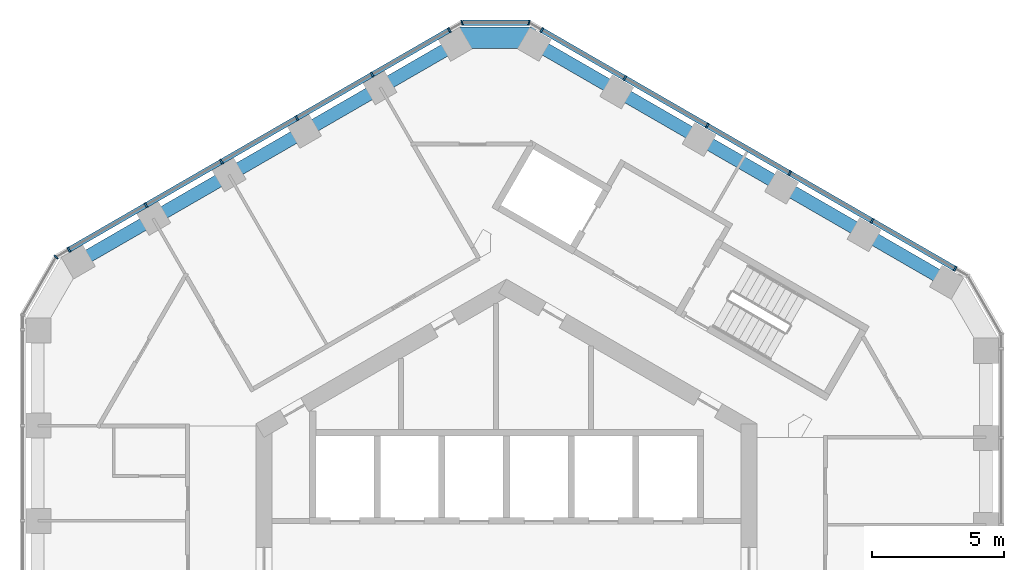
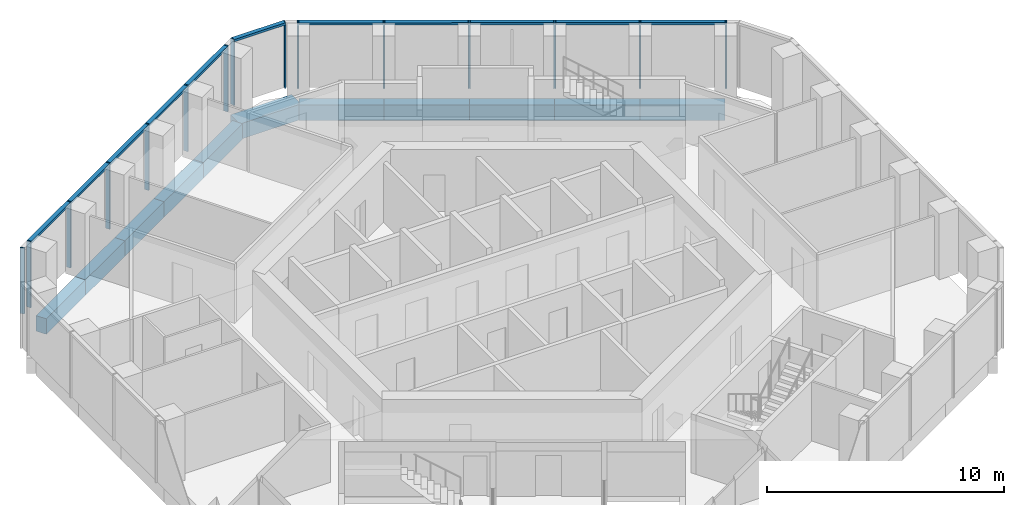
# One storey, part 6 of 18: 18 members, 11 beams, 4 elements without a shape of their own.
"""IFC4 building model written with IfcOpenShell, lengths in metres."""

from ifc_helpers import new_model, si_unit, direction, frame, origin, origin_2d, place, context, subcontext, project, spatial, rectangle, extrude, material, layer, layer_set, material_profile, profile_set, type_object, element, aggregate, save


model = new_model("IFC4")

# Units and contexts
model_context = context("Model", 3, precision=1e-05, world=origin(), true_north=direction((0.0, 1.0)))
body_context = subcontext(model_context, "Body", "Model", "MODEL_VIEW")
ifc_project = project(units=[si_unit("LENGTHUNIT", "METRE"), si_unit("AREAUNIT", "SQUARE_METRE"), si_unit("VOLUMEUNIT", "CUBIC_METRE"), si_unit("PLANEANGLEUNIT", "RADIAN"), si_unit("MASSUNIT", "GRAM", prefix="KILO")], contexts=[model_context])

# Site, building, storey
site_placement = place(None, origin())
site = spatial("IfcSite", under=ifc_project, at=site_placement, CompositionType="ELEMENT")
building_placement = place(site_placement, origin())
building = spatial("IfcBuilding", under=site, at=building_placement, Name="Ayvan Gate Tower", CompositionType="ELEMENT")
storey_placement = place(building_placement, frame((0.0, 0.0, 176.5)))
storey = spatial("IfcBuildingStorey", under=building, at=storey_placement, Name="L47", CompositionType="ELEMENT", Elevation=176.5)

# Beams
ifc_material_1 = material(Name="Concrete C40/50", Category="concrete")
ifc_material_profile_1 = material_profile(ifc_material_1, rectangle(XDim=0.800048828125, YDim=0.800048828125, at=origin_2d()), Name="RC 800x800")
ifc_profile_set_1 = profile_set([ifc_material_profile_1], Name="Concrete C40/50")
beam_type_1 = type_object("IfcBeamType", Name="Corner spandrel beam RC 800x800 C40/50", PredefinedType="BEAM", material=ifc_profile_set_1)
beam_1_placement = place(storey_placement, frame((1.09765625, 20.12158203125, -0.75), z_axis=(-1.0, 0.0, 0.0), x_axis=(0.0, -1.0, 0.0)))
element("IfcBeam", 1, at=beam_1_placement, inside=storey, type_object=beam_type_1, Name="SB-L47-12", PredefinedType="BEAM", context=body_context, shape_type="SweptSolid", body=[
    extrude(rectangle(XDim=0.800048828125, YDim=0.800048828125, at=origin_2d()), origin(), (0.0, 0.0, 1.0), 3.0),
])
ifc_material_profile_2 = material_profile(ifc_material_1, rectangle(XDim=0.5, YDim=0.800048828125, at=origin_2d()), Name="RC 500x800")
ifc_profile_set_2 = profile_set([ifc_material_profile_2], Name="Concrete C40/50")
beam_type_2 = type_object("IfcBeamType", Name="Spandrel beam RC 500x800 C40/50", PredefinedType="BEAM", material=ifc_profile_set_2)
beam_2_placement = place(storey_placement, frame((16.6865234375, 10.9013671875, -0.75), z_axis=(-0.866018442252, 0.500012057535, 0.0), x_axis=(-0.500012057535, -0.866018442252, 0.0)))
element("IfcBeam", 2, at=beam_2_placement, inside=storey, type_object=beam_type_2, Name="SB-L47-7", PredefinedType="BEAM", context=body_context, shape_type="SweptSolid", body=[
    extrude(rectangle(XDim=0.5, YDim=0.800048828125, at=origin_2d()), origin(), (0.0, 0.0, 1.0), 3.60009765625),
])
beam_3_placement = place(storey_placement, frame((13.56884765625, 12.701416015625, -0.75), z_axis=(-0.866035395735, 0.499982693035, 0.0), x_axis=(-0.499982693035, -0.866035395735, 0.0)))
element("IfcBeam", 3, at=beam_3_placement, inside=storey, type_object=beam_type_2, Name="SB-L47-8", PredefinedType="BEAM", context=body_context, shape_type="SweptSolid", body=[
    extrude(rectangle(XDim=0.5, YDim=0.800048828125, at=origin_2d()), origin(), (0.0, 0.0, 1.0), 3.600341796875),
])
beam_4_placement = place(storey_placement, frame((10.450927734375, 14.50146484375, -0.75), z_axis=(-0.866018442252, 0.500012057535, 0.0), x_axis=(-0.500012057535, -0.866018442252, 0.0)))
element("IfcBeam", 4, at=beam_4_placement, inside=storey, type_object=beam_type_2, Name="SB-L47-9", PredefinedType="BEAM", context=body_context, shape_type="SweptSolid", body=[
    extrude(rectangle(XDim=0.5, YDim=0.800048828125, at=origin_2d()), origin(), (0.0, 0.0, 1.0), 3.60009765625),
])
beam_5_placement = place(storey_placement, frame((7.333251953125, 16.301513671875, -0.75), z_axis=(-0.866035395735, 0.499982693035, 0.0), x_axis=(-0.499982693035, -0.866035395735, 0.0)))
element("IfcBeam", 5, at=beam_5_placement, inside=storey, type_object=beam_type_2, Name="SB-L47-10", PredefinedType="BEAM", context=body_context, shape_type="SweptSolid", body=[
    extrude(rectangle(XDim=0.5, YDim=0.800048828125, at=origin_2d()), origin(), (0.0, 0.0, 1.0), 3.600341796875),
])
beam_6_placement = place(storey_placement, frame((4.21533203125, 18.1015625, -0.75), z_axis=(-0.866018442252, 0.500012057535, 0.0), x_axis=(-0.500012057535, -0.866018442252, 0.0)))
element("IfcBeam", 6, at=beam_6_placement, inside=storey, type_object=beam_type_2, Name="SB-L47-11", PredefinedType="BEAM", context=body_context, shape_type="SweptSolid", body=[
    extrude(rectangle(XDim=0.5, YDim=0.800048828125, at=origin_2d()), origin(), (0.0, 0.0, 1.0), 3.60009765625),
])
beam_7_placement = place(storey_placement, frame((-1.90234375, 19.901611328125, -0.75), z_axis=(-0.86603625305, -0.49998120805, 0.0), x_axis=(0.49998120805, -0.86603625305, 0.0)))
element("IfcBeam", 7, at=beam_7_placement, inside=storey, type_object=beam_type_2, Name="SB-L47-13", PredefinedType="BEAM", context=body_context, shape_type="SweptSolid", body=[
    extrude(rectangle(XDim=0.5, YDim=0.800048828125, at=origin_2d()), origin(), (0.0, 0.0, 1.0), 3.321533203125),
])
beam_8_placement = place(storey_placement, frame((-4.77880859375, 18.240966796875, -0.75), z_axis=(-0.866017876419, -0.500013037552, 0.0), x_axis=(0.500013037552, -0.866017876419, 0.0)))
element("IfcBeam", 8, at=beam_8_placement, inside=storey, type_object=beam_type_2, Name="SB-L47-14", PredefinedType="BEAM", context=body_context, shape_type="SweptSolid", body=[
    extrude(rectangle(XDim=0.5, YDim=0.800048828125, at=origin_2d()), origin(), (0.0, 0.0, 1.0), 3.3212890625),
])
beam_9_placement = place(storey_placement, frame((-7.655029296875, 16.580322265625, -0.75), z_axis=(-0.86603625305, -0.49998120805, 0.0), x_axis=(0.49998120805, -0.86603625305, 0.0)))
element("IfcBeam", 9, at=beam_9_placement, inside=storey, type_object=beam_type_2, Name="SB-L47-15", PredefinedType="BEAM", context=body_context, shape_type="SweptSolid", body=[
    extrude(rectangle(XDim=0.5, YDim=0.800048828125, at=origin_2d()), origin(), (0.0, 0.0, 1.0), 3.321533203125),
])
beam_10_placement = place(storey_placement, frame((-10.531494140625, 14.919677734375, -0.75), z_axis=(-0.866017876419, -0.500013037552, 0.0), x_axis=(0.500013037552, -0.866017876419, 0.0)))
element("IfcBeam", 10, at=beam_10_placement, inside=storey, type_object=beam_type_2, Name="SB-L47-16", PredefinedType="BEAM", context=body_context, shape_type="SweptSolid", body=[
    extrude(rectangle(XDim=0.5, YDim=0.800048828125, at=origin_2d()), origin(), (0.0, 0.0, 1.0), 3.3212890625),
])
beam_11_placement = place(storey_placement, frame((-13.40771484375, 13.259033203125, -0.75), z_axis=(-0.86603625305, -0.49998120805, 0.0), x_axis=(0.49998120805, -0.86603625305, 0.0)))
element("IfcBeam", 11, at=beam_11_placement, inside=storey, type_object=beam_type_2, Name="SB-L47-17", PredefinedType="BEAM", context=body_context, shape_type="SweptSolid", body=[
    extrude(rectangle(XDim=0.5, YDim=0.800048828125, at=origin_2d()), origin(), (0.0, 0.0, 1.0), 3.321533203125),
])

# Curtain wall, members
ifc_material_2 = material(Name="Bronze anodised aluminium", Category="aluminium")
ifc_layer_1 = layer(ifc_material_2, 0.199951171875)
ifc_layer_set_1 = layer_set([ifc_layer_1], Name="Bronze anodised aluminium")
curtain_wall_type_1 = type_object("IfcCurtainWallType", Name="Stick curtain wall CW-2", PredefinedType="NOTDEFINED", material=ifc_layer_set_1)
curtain_wall_1_placement = place(storey_placement, origin())
curtain_wall_1 = element("IfcCurtainWall", 12, at=curtain_wall_1_placement, inside=storey, type_object=curtain_wall_type_1, Name="Stick curtain wall CW-2 L47", PredefinedType="NOTDEFINED")
ifc_material_profile_3 = material_profile(ifc_material_2, rectangle(XDim=0.199951171875, YDim=0.070068359375, at=origin_2d()), Name="Stick curtain wall CW-2 mullion 200 x 70")
ifc_profile_set_3 = profile_set([ifc_material_profile_3], Name="Bronze anodised aluminium")
member_type_1 = type_object("IfcMemberType", Name="Stick curtain wall CW-2 mullion 200 x 70", PredefinedType="MULLION", material=ifc_profile_set_3)
member_1_placement = place(storey_placement, frame((-2.167724609375, 20.412353515625, 0.0), z_axis=(0.0, 0.0, 1.0), x_axis=(-0.5, 0.866025403784, 0.0)))
member_1 = element("IfcMember", 13, at=member_1_placement, type_object=member_type_1, Name="CW-2 mullion 1", PredefinedType="MULLION", context=body_context, shape_type="SweptSolid", body=[
    extrude(rectangle(XDim=0.199951171875, YDim=0.070068359375, at=origin_2d()), origin(), (0.0, 0.0, 1.0), 3.39990234375),
])
member_2_placement = place(storey_placement, frame((-5.09228515625, 18.723876953125, 0.0), z_axis=(0.0, 0.0, 1.0), x_axis=(-0.5, 0.866025403784, 0.0)))
member_2 = element("IfcMember", 14, at=member_2_placement, type_object=member_type_1, Name="CW-2 mullion 2", PredefinedType="MULLION", context=body_context, shape_type="SweptSolid", body=[
    extrude(rectangle(XDim=0.199951171875, YDim=0.070068359375, at=origin_2d()), origin(), (0.0, 0.0, 1.0), 3.39990234375),
])
member_3_placement = place(storey_placement, frame((-7.950927734375, 17.073486328125, 0.0), z_axis=(0.0, 0.0, 1.0), x_axis=(-0.5, 0.866025403784, 0.0)))
member_3 = element("IfcMember", 15, at=member_3_placement, type_object=member_type_1, Name="CW-2 mullion 3", PredefinedType="MULLION", context=body_context, shape_type="SweptSolid", body=[
    extrude(rectangle(XDim=0.199951171875, YDim=0.070068359375, at=origin_2d()), origin(), (0.0, 0.0, 1.0), 3.39990234375),
])
member_4_placement = place(storey_placement, frame((-10.810546875, 15.42236328125, 0.0), z_axis=(0.0, 0.0, 1.0), x_axis=(-0.5, 0.866025403784, 0.0)))
member_4 = element("IfcMember", 16, at=member_4_placement, type_object=member_type_1, Name="CW-2 mullion 4", PredefinedType="MULLION", context=body_context, shape_type="SweptSolid", body=[
    extrude(rectangle(XDim=0.199951171875, YDim=0.070068359375, at=origin_2d()), origin(), (0.0, 0.0, 1.0), 3.39990234375),
])
member_5_placement = place(storey_placement, frame((-13.66943359375, 13.77197265625, 0.0), z_axis=(0.0, 0.0, 1.0), x_axis=(-0.5, 0.866025403784, 0.0)))
member_5 = element("IfcMember", 17, at=member_5_placement, type_object=member_type_1, Name="CW-2 mullion 5", PredefinedType="MULLION", context=body_context, shape_type="SweptSolid", body=[
    extrude(rectangle(XDim=0.199951171875, YDim=0.070068359375, at=origin_2d()), origin(), (0.0, 0.0, 1.0), 3.39990234375),
])
member_6_placement = place(storey_placement, frame((-16.59375, 12.08349609375, 0.0), z_axis=(0.0, 0.0, 1.0), x_axis=(-0.5, 0.866025403784, 0.0)))
member_6 = element("IfcMember", 18, at=member_6_placement, type_object=member_type_1, Name="CW-2 mullion 6", PredefinedType="MULLION", context=body_context, shape_type="SweptSolid", body=[
    extrude(rectangle(XDim=0.199951171875, YDim=0.070068359375, at=origin_2d()), origin(), (0.0, 0.0, 1.0), 3.39990234375),
])

curtain_wall_2_placement = place(storey_placement, origin())
curtain_wall_2 = element("IfcCurtainWall", 19, at=curtain_wall_2_placement, inside=storey, type_object=curtain_wall_type_1, Name="Stick curtain wall CW-2 L47", PredefinedType="NOTDEFINED")
member_7_placement = place(storey_placement, frame((17.00927734375, 11.364013671875, 0.0), z_axis=(0.0, 0.0, 1.0), x_axis=(0.5, 0.866025403784, 0.0)))
member_7 = element("IfcMember", 20, at=member_7_placement, type_object=member_type_1, Name="CW-2 mullion 1", PredefinedType="MULLION", context=body_context, shape_type="SweptSolid", body=[
    extrude(rectangle(XDim=0.199951171875, YDim=0.070068359375, at=origin_2d()), origin(), (0.0, 0.0, 1.0), 3.39990234375),
])
member_8_placement = place(storey_placement, frame((13.862060546875, 13.180908203125, 0.0), z_axis=(0.0, 0.0, 1.0), x_axis=(0.5, 0.866025403784, 0.0)))
member_8 = element("IfcMember", 21, at=member_8_placement, type_object=member_type_1, Name="CW-2 mullion 2", PredefinedType="MULLION", context=body_context, shape_type="SweptSolid", body=[
    extrude(rectangle(XDim=0.199951171875, YDim=0.070068359375, at=origin_2d()), origin(), (0.0, 0.0, 1.0), 3.39990234375),
])
member_9_placement = place(storey_placement, frame((10.73583984375, 14.98583984375, 0.0), z_axis=(0.0, 0.0, 1.0), x_axis=(0.5, 0.866025403784, 0.0)))
member_9 = element("IfcMember", 22, at=member_9_placement, type_object=member_type_1, Name="CW-2 mullion 3", PredefinedType="MULLION", context=body_context, shape_type="SweptSolid", body=[
    extrude(rectangle(XDim=0.199951171875, YDim=0.070068359375, at=origin_2d()), origin(), (0.0, 0.0, 1.0), 3.39990234375),
])
member_10_placement = place(storey_placement, frame((7.6103515625, 16.79052734375, 0.0), z_axis=(0.0, 0.0, 1.0), x_axis=(0.5, 0.866025403784, 0.0)))
member_10 = element("IfcMember", 23, at=member_10_placement, type_object=member_type_1, Name="CW-2 mullion 4", PredefinedType="MULLION", context=body_context, shape_type="SweptSolid", body=[
    extrude(rectangle(XDim=0.199951171875, YDim=0.070068359375, at=origin_2d()), origin(), (0.0, 0.0, 1.0), 3.39990234375),
])
member_11_placement = place(storey_placement, frame((4.48388671875, 18.595458984375, 0.0), z_axis=(0.0, 0.0, 1.0), x_axis=(0.5, 0.866025403784, 0.0)))
member_11 = element("IfcMember", 24, at=member_11_placement, type_object=member_type_1, Name="CW-2 mullion 5", PredefinedType="MULLION", context=body_context, shape_type="SweptSolid", body=[
    extrude(rectangle(XDim=0.199951171875, YDim=0.070068359375, at=origin_2d()), origin(), (0.0, 0.0, 1.0), 3.39990234375),
])
member_12_placement = place(storey_placement, frame((1.3369140625, 20.412353515625, 0.0), z_axis=(0.0, 0.0, 1.0), x_axis=(0.5, 0.866025403784, 0.0)))
member_12 = element("IfcMember", 25, at=member_12_placement, type_object=member_type_1, Name="CW-2 mullion 6", PredefinedType="MULLION", context=body_context, shape_type="SweptSolid", body=[
    extrude(rectangle(XDim=0.199951171875, YDim=0.070068359375, at=origin_2d()), origin(), (0.0, 0.0, 1.0), 3.39990234375),
])

# Member
ifc_material_profile_4 = material_profile(ifc_material_2, rectangle(XDim=0.199951171875, YDim=0.1201171875, at=origin_2d()), Name="Stick curtain wall CW-2 transom 200 x 120")
ifc_profile_set_4 = profile_set([ifc_material_profile_4], Name="Bronze anodised aluminium")
member_type_2 = type_object("IfcMemberType", Name="Stick curtain wall CW-2 transom 200 x 120", PredefinedType="USERDEFINED", material=ifc_profile_set_4)
member_13_placement = place(storey_placement, frame((-2.167724609375, 20.412353515625, 3.340087890625), z_axis=(-0.866025721459, -0.499999449772, 0.0), x_axis=(0.499999449772, -0.866025721459, 0.0)))
member_13 = element("IfcMember", 26, at=member_13_placement, type_object=member_type_2, Name="CW-2 transom 1", ObjectType="TRANSOM", PredefinedType="USERDEFINED", context=body_context, shape_type="SweptSolid", body=[
    extrude(rectangle(XDim=0.199951171875, YDim=0.1201171875, at=origin_2d()), origin(), (0.0, 0.0, 1.0), 16.65771484375),
])

aggregate(curtain_wall_1, [member_1, member_2, member_3, member_4, member_5, member_6, member_13])

member_14_placement = place(storey_placement, frame((17.00927734375, 11.364013671875, 3.340087890625), z_axis=(-0.86602787586, 0.499995718215, 0.0), x_axis=(-0.499995718215, -0.86602787586, 0.0)))
member_14 = element("IfcMember", 27, at=member_14_placement, type_object=member_type_2, Name="CW-2 transom 1", ObjectType="TRANSOM", PredefinedType="USERDEFINED", context=body_context, shape_type="SweptSolid", body=[
    extrude(rectangle(XDim=0.199951171875, YDim=0.1201171875, at=origin_2d()), origin(), (0.0, 0.0, 1.0), 18.096923828125),
])

aggregate(curtain_wall_2, [member_7, member_8, member_9, member_10, member_11, member_12, member_14])

# Curtain wall, member
ifc_layer_2 = layer(ifc_material_2, 0.199951171875)
ifc_layer_set_2 = layer_set([ifc_layer_2], Name="Bronze anodised aluminium")
curtain_wall_type_2 = type_object("IfcCurtainWallType", Name="Stick curtain wall CW-6", PredefinedType="NOTDEFINED", material=ifc_layer_set_2)
curtain_wall_3_placement = place(storey_placement, origin())
curtain_wall_3 = element("IfcCurtainWall", 28, at=curtain_wall_3_placement, inside=storey, type_object=curtain_wall_type_2, Name="Stick curtain wall CW-6 L47", PredefinedType="NOTDEFINED")
ifc_material_profile_5 = material_profile(ifc_material_2, rectangle(XDim=0.199951171875, YDim=0.050048828125, at=origin_2d()), Name="Stick curtain wall CW-6 mullion 200 x 50")
ifc_profile_set_5 = profile_set([ifc_material_profile_5], Name="Bronze anodised aluminium")
member_type_3 = type_object("IfcMemberType", Name="Stick curtain wall CW-6 mullion 200 x 50", PredefinedType="MULLION", material=ifc_profile_set_5)
member_15_placement = place(storey_placement, frame((-17.078857421875, 11.803466796875, 0.0), z_axis=(0.0, 0.0, 1.0), x_axis=(-0.707106781187, 0.707106781187, 0.0)))
member_15 = element("IfcMember", 29, at=member_15_placement, type_object=member_type_3, Name="CW-6 mullion 2", PredefinedType="MULLION", context=body_context, shape_type="SweptSolid", body=[
    extrude(rectangle(XDim=0.199951171875, YDim=0.050048828125, at=origin_2d()), origin(), (0.0, 0.0, 1.0), 3.39990234375),
])
aggregate(curtain_wall_3, [member_15])

# Curtain wall, members
curtain_wall_4_placement = place(storey_placement, origin())
curtain_wall_4 = element("IfcCurtainWall", 30, at=curtain_wall_4_placement, inside=storey, type_object=curtain_wall_type_2, Name="Stick curtain wall CW-6 L47", PredefinedType="NOTDEFINED")
member_16_placement = place(storey_placement, frame((0.851806640625, 20.6923828125, 0.0), z_axis=(0.0, 0.0, 1.0), x_axis=(0.258819045103, 0.965925826289, 0.0)))
member_16 = element("IfcMember", 31, at=member_16_placement, type_object=member_type_3, Name="CW-6 mullion 2", PredefinedType="MULLION", context=body_context, shape_type="SweptSolid", body=[
    extrude(rectangle(XDim=0.199951171875, YDim=0.050048828125, at=origin_2d()), origin(), (0.0, 0.0, 1.0), 3.39990234375),
])
member_17_placement = place(storey_placement, frame((-1.6826171875, 20.6923828125, 0.0), z_axis=(0.0, 0.0, 1.0), x_axis=(-0.258819045103, 0.965925826289, 0.0)))
member_17 = element("IfcMember", 32, at=member_17_placement, type_object=member_type_3, Name="CW-6 mullion 3", PredefinedType="MULLION", context=body_context, shape_type="SweptSolid", body=[
    extrude(rectangle(XDim=0.199951171875, YDim=0.050048828125, at=origin_2d()), origin(), (0.0, 0.0, 1.0), 3.39990234375),
])
ifc_material_profile_6 = material_profile(ifc_material_2, rectangle(XDim=0.199951171875, YDim=0.1201171875, at=origin_2d()), Name="Stick curtain wall CW-6 transom 200 x 120")
ifc_profile_set_6 = profile_set([ifc_material_profile_6], Name="Bronze anodised aluminium")
member_type_4 = type_object("IfcMemberType", Name="Stick curtain wall CW-6 transom 200 x 120", PredefinedType="USERDEFINED", material=ifc_profile_set_6)
member_18_placement = place(storey_placement, frame((0.826904296875, 20.6923828125, 3.340087890625), z_axis=(-1.0, 0.0, 0.0), x_axis=(0.0, -1.0, 0.0)))
member_18 = element("IfcMember", 33, at=member_18_placement, type_object=member_type_4, Name="CW-6 transom 2", ObjectType="TRANSOM", PredefinedType="USERDEFINED", context=body_context, shape_type="SweptSolid", body=[
    extrude(rectangle(XDim=0.199951171875, YDim=0.1201171875, at=origin_2d()), origin(), (0.0, 0.0, 1.0), 2.484619140625),
])
aggregate(curtain_wall_4, [member_16, member_17, member_18])

save(model, "model.ifc")
